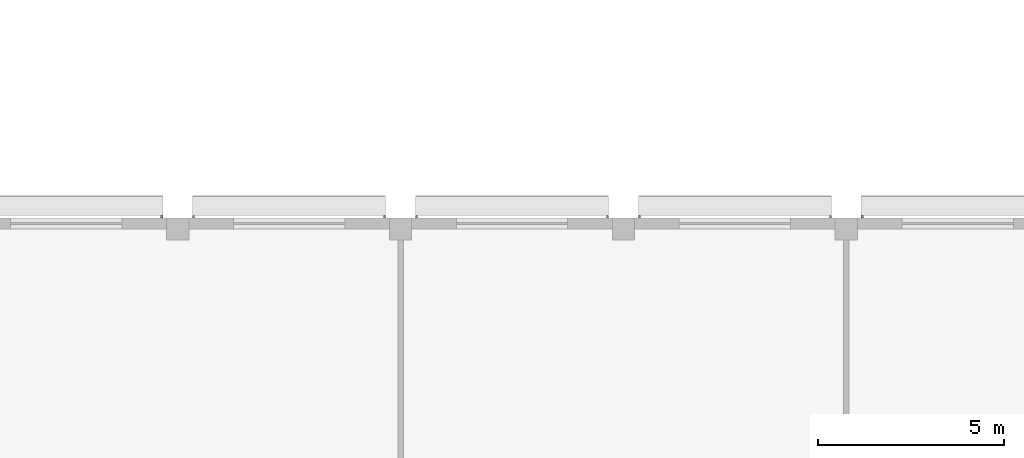
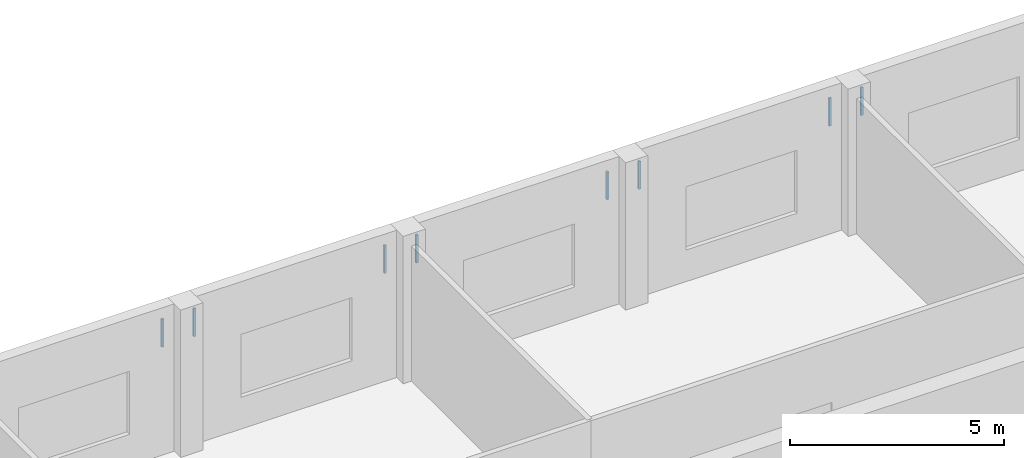
# One storey, part 32 of 45: 8 discrete accessories.
"""IFC4 building model written with IfcOpenShell, lengths in metres."""

from ifc_helpers import new_model, si_unit, direction, frame, origin, origin_2d, place, context, subcontext, project, spatial, rectangle, extrude, material, type_object, element, save


model = new_model("IFC4")

# Units and contexts
model_context = context("Model", 3, precision=1e-05, world=origin(), true_north=direction((0.0, 1.0)))
body_context = subcontext(model_context, "Body", "Model", "MODEL_VIEW")
ifc_project = project(units=[si_unit("LENGTHUNIT", "METRE"), si_unit("AREAUNIT", "SQUARE_METRE"), si_unit("VOLUMEUNIT", "CUBIC_METRE"), si_unit("PLANEANGLEUNIT", "RADIAN"), si_unit("MASSUNIT", "GRAM", prefix="KILO")], contexts=[model_context])

# Site, building, storey
site_placement = place(None, origin())
site = spatial("IfcSite", under=ifc_project, at=site_placement, CompositionType="ELEMENT")
building_placement = place(site_placement, origin())
building = spatial("IfcBuilding", under=site, at=building_placement, Name="Nakaniwa Court", CompositionType="ELEMENT")
storey_placement = place(building_placement, frame((0.0, 0.0, 11.39990234375)))
storey = spatial("IfcBuildingStorey", under=building, at=storey_placement, Name="L02", CompositionType="ELEMENT", Elevation=11.39990234375)

# Discrete accessories
ifc_material = material(Name="Black powder-coated steel bracket S275", Category="steel")
discrete_accessory_type = type_object("IfcDiscreteAccessoryType", Name="Hall black metal louvre bracket", PredefinedType="BRACKET", material=ifc_material)
for number, where, z_axis, x_axis, name in (
    (1, (175.570068359375, 104.030029296875, 2.82861328125), (0.0, 0.0, 1.0), (1.0, 0.0, 0.0), "Louvre bracket L02 013.2"),
    (2, (176.429931640625, 104.030029296875, 2.82861328125), (0.0, 0.0, 1.0), (1.0, 0.0, 0.0), "Louvre bracket L02 014.1"),
    (3, (181.570068359375, 104.030029296875, 2.82861328125), (0.0, 0.0, 1.0), (1.0, 0.0, 0.0), "Louvre bracket L02 014.2"),
    (4, (182.429931640625, 104.030029296875, 2.82861328125), (0.0, 0.0, 1.0), (1.0, 0.0, 0.0), "Louvre bracket L02 015.1"),
    (5, (187.570068359375, 104.030029296875, 2.82861328125), (0.0, 0.0, 1.0), (1.0, 0.0, 0.0), "Louvre bracket L02 015.2"),
    (6, (188.429931640625, 104.030029296875, 2.82861328125), (0.0, 0.0, 1.0), (1.0, 0.0, 0.0), "Louvre bracket L02 016.1"),
    (7, (193.570068359375, 104.030029296875, 2.82861328125), (0.0, 0.0, 1.0), (1.0, 0.0, 0.0), "Louvre bracket L02 016.2"),
    (8, (194.429931640625, 104.030029296875, 2.82861328125), (0.0, 0.0, 1.0), (1.0, 0.0, 0.0), "Louvre bracket L02 017.1"),
):
    element("IfcDiscreteAccessory", number, at=place(storey_placement, frame(where, z_axis=z_axis, x_axis=x_axis)), inside=storey, type_object=discrete_accessory_type, Name=name, PredefinedType="BRACKET", context=body_context, shape_type="SweptSolid", body=[
        extrude(rectangle(XDim=0.06005859375, YDim=0.06005859375, at=origin_2d()), origin(), (0.0, 0.0, 1.0), 0.793212890625),
    ])

save(model, "model.ifc")
